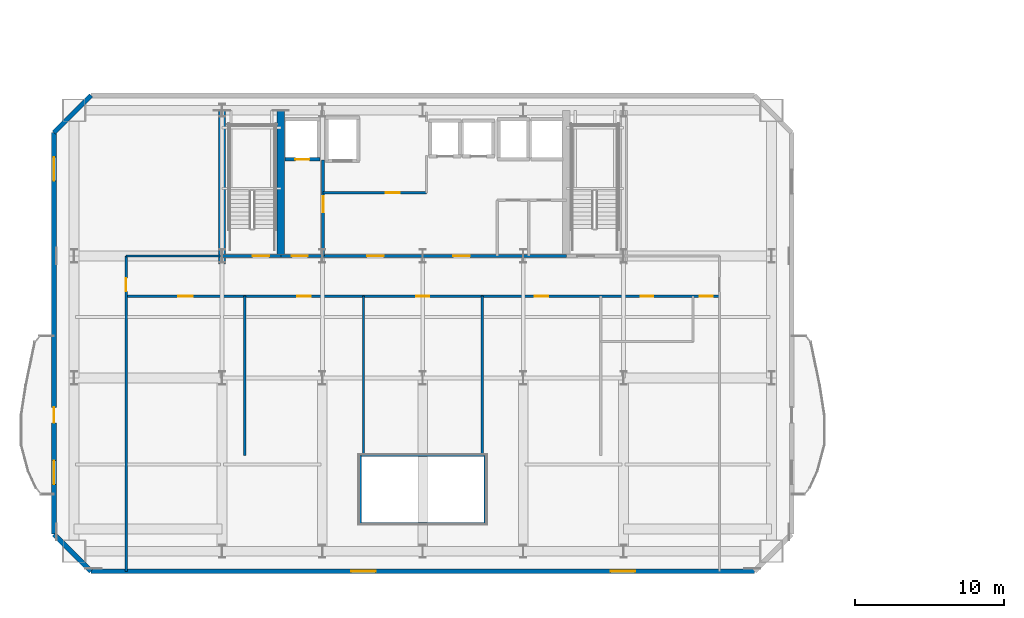
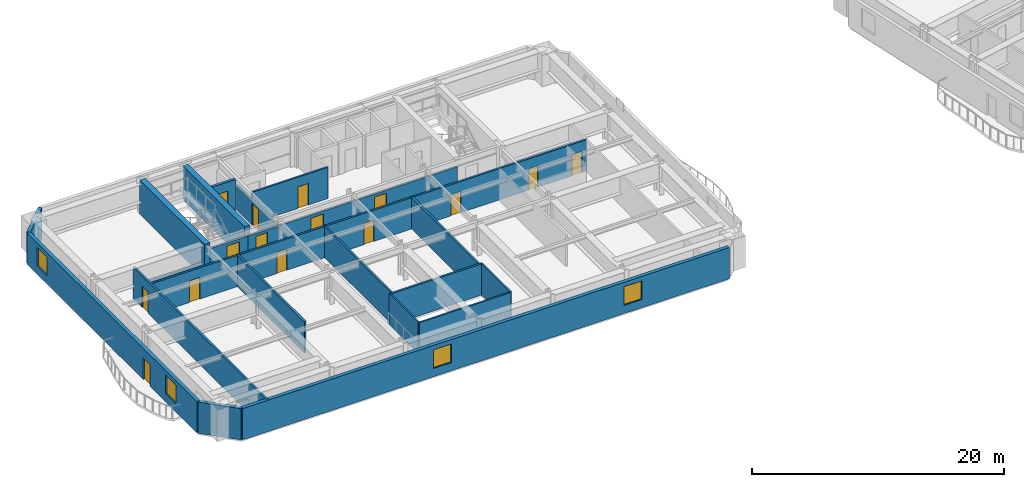
# One storey, part 7 of 16: 22 walls, 15 doors, 4 windows, 19 openings.
"""IFC4 building model written with IfcOpenShell, lengths in metres."""

from ifc_helpers import new_model, si_unit, direction, frame, frame_2d, origin, place, context, subcontext, project, spatial, rectangle, extrude, material, layer, layer_set, type_object, element, fill, save


model = new_model("IFC4")

# Units and contexts
model_context = context("Model", 3, precision=1e-05, world=origin(), true_north=direction((0.0, 1.0)))
body_context = subcontext(model_context, "Body", "Model", "MODEL_VIEW")
ifc_project = project(units=[si_unit("LENGTHUNIT", "METRE"), si_unit("AREAUNIT", "SQUARE_METRE"), si_unit("VOLUMEUNIT", "CUBIC_METRE"), si_unit("PLANEANGLEUNIT", "RADIAN"), si_unit("MASSUNIT", "GRAM", prefix="KILO")], contexts=[model_context])

# Site, building, storey
site_placement = place(None, origin())
site = spatial("IfcSite", under=ifc_project, at=site_placement, CompositionType="ELEMENT")
building_placement = place(site_placement, origin())
building = spatial("IfcBuilding", under=site, at=building_placement, Name="Haevon Station Towers", CompositionType="ELEMENT")
storey_placement = place(building_placement, frame((0.0, 0.0, 90.0)))
storey = spatial("IfcBuildingStorey", under=building, at=storey_placement, Name="L23", CompositionType="ELEMENT", Elevation=90.0)

# Wall, opening, door
ifc_material_1 = material(Name="Gypsum board on steel stud", Category="steel")
ifc_layer_1 = layer(ifc_material_1, 0.179931640625)
ifc_layer_set_1 = layer_set([ifc_layer_1], Name="Gypsum board on steel stud")
wall_type_1 = type_object("IfcWallType", Name="WL-ACU180", PredefinedType="PARTITIONING", material=ifc_layer_set_1)
wall_1_placement = place(storey_placement, frame((17.550048828125, 17.0, 0.0), z_axis=(0.0, 0.0, 1.0), x_axis=(0.0, 1.0, 0.0)))
wall_1 = element("IfcWall", 1, at=wall_1_placement, inside=storey, type_object=wall_type_1, Name="WL-T1PT-L23-03", PredefinedType="PARTITIONING", context=body_context, shape_type="SweptSolid", body=[
    extrude(rectangle(XDim=21.199951171875, YDim=0.179931640625, at=frame_2d((10.60009765625, 0.0))), origin(), (0.0, 0.0, 1.0), 3.030029296875),
])
opening_1_placement = place(wall_1_placement, frame((18.820068359375, 0.0, 0.0)))
opening_1 = element("IfcOpeningElement", 2, at=opening_1_placement, cuts=wall_1, Name="Opening DR-WL-T1PT-L23-03-01", PredefinedType="OPENING", context=body_context, shape_type="SweptSolid", body=[
    extrude(rectangle(XDim=0.89990234375, YDim=2.050048828125, at=frame_2d((0.449951171875, 1.02490234375))), frame((0.0, 0.099853515625, 0.0), z_axis=(0.0, -1.0, 0.0), x_axis=(1.0, 0.0, 0.0)), (0.0, 0.0, 1.0), 0.199951171875),
])
ifc_material_2 = material(Name="Engineered oak timber", Category="wood")
door_type_1 = type_object("IfcDoorType", Name="DR-INT-900", OperationType="NOTDEFINED", PredefinedType="DOOR", material=ifc_material_2)
door_1_placement = place(opening_1_placement, origin())
door_1 = element("IfcDoor", 3, at=door_1_placement, inside=storey, type_object=door_type_1, Name="L23 Tower 1 Room Door 3-1", OperationType="SINGLE_SWING_LEFT", OverallHeight=2.050048828125, OverallWidth=0.89990234375, PredefinedType="DOOR", context=body_context, shape_type="SweptSolid", body=[
    extrude(rectangle(XDim=0.89990234375, YDim=2.050048828125, at=frame_2d((0.449951171875, 1.02490234375))), frame((0.0, 0.02490234375, 0.0), z_axis=(0.0, -1.0, 0.0), x_axis=(1.0, 0.0, 0.0)), (0.0, 0.0, 1.0), 0.050048828125),
])
fill(opening_1, door_1)

# Walls
wall_2_placement = place(storey_placement, frame((33.300048828125, 24.800048828125, 0.0), z_axis=(0.0, 0.0, 1.0), x_axis=(1.0, 0.0, 0.0)))
element("IfcWall", 4, at=wall_2_placement, inside=storey, type_object=wall_type_1, Name="WL-T1PT-L23-06", PredefinedType="PARTITIONING", context=body_context, shape_type="SweptSolid", body=[
    extrude(rectangle(XDim=8.39990234375, YDim=0.179931640625, at=frame_2d((4.199951171875, 0.0))), origin(), (0.0, 0.0, 1.0), 3.030029296875),
])
for number, where, z_axis, x_axis, name in (
    (5, (25.530029296875, 24.800048828125, 0.0), (0.0, 0.0, 1.0), (0.0, 1.0, 0.0), "WL-T1PT-L23-09"),
    (6, (41.489990234375, 24.800048828125, 0.0), (0.0, 0.0, 1.0), (0.0, 1.0, 0.0), "WL-T1PT-L23-12"),
):
    element("IfcWall", number, at=place(storey_placement, frame(where, z_axis=z_axis, x_axis=x_axis)), inside=storey, type_object=wall_type_1, Name=name, PredefinedType="PARTITIONING", context=body_context, shape_type="SweptSolid", body=[
        extrude(rectangle(XDim=10.699951171875, YDim=0.179931640625, at=frame_2d((5.35009765625, 0.0))), origin(), (0.0, 0.0, 1.0), 3.030029296875),
    ])

# Wall, openings, doors
wall_3_placement = place(storey_placement, frame((17.550048828125, 35.5, 0.0), z_axis=(0.0, 0.0, 1.0), x_axis=(1.0, 0.0, 0.0)))
wall_3 = element("IfcWall", 7, at=wall_3_placement, inside=storey, type_object=wall_type_1, Name="WL-T1PT-L23-18", PredefinedType="PARTITIONING", context=body_context, shape_type="SweptSolid", body=[
    extrude(rectangle(XDim=39.89990234375, YDim=0.179931640625, at=frame_2d((19.949951171875, 0.0))), origin(), (0.0, 0.0, 1.0), 3.030029296875),
])
opening_2_placement = place(wall_3_placement, frame((3.514892578125, 0.0, 0.0)))
opening_2 = element("IfcOpeningElement", 8, at=opening_2_placement, cuts=wall_3, Name="Opening DR-WL-T1PT-L23-18-01", PredefinedType="OPENING", context=body_context, shape_type="SweptSolid", body=[
    extrude(rectangle(XDim=0.949951171875, YDim=2.10009765625, at=frame_2d((0.47509765625, 1.050048828125))), frame((0.0, 0.099853515625, 0.0), z_axis=(0.0, -1.0, 0.0), x_axis=(1.0, 0.0, 0.0)), (0.0, 0.0, 1.0), 0.199951171875),
])
opening_3_placement = place(wall_3_placement, frame((11.52001953125, 0.0, 0.0)))
opening_3 = element("IfcOpeningElement", 9, at=opening_3_placement, cuts=wall_3, Name="Opening DR-WL-T1PT-L23-18-02", PredefinedType="OPENING", context=body_context, shape_type="SweptSolid", body=[
    extrude(rectangle(XDim=0.89990234375, YDim=2.050048828125, at=frame_2d((0.449951171875, 1.02490234375))), frame((0.0, 0.099853515625, 0.0), z_axis=(0.0, -1.0, 0.0), x_axis=(1.0, 0.0, 0.0)), (0.0, 0.0, 1.0), 0.199951171875),
])
opening_4_placement = place(wall_3_placement, frame((19.5, 0.0, 0.0)))
opening_4 = element("IfcOpeningElement", 10, at=opening_4_placement, cuts=wall_3, Name="Opening DR-WL-T1PT-L23-18-03", PredefinedType="OPENING", context=body_context, shape_type="SweptSolid", body=[
    extrude(rectangle(XDim=0.89990234375, YDim=2.050048828125, at=frame_2d((0.449951171875, 1.02490234375))), frame((0.0, 0.099853515625, 0.0), z_axis=(0.0, -1.0, 0.0), x_axis=(1.0, 0.0, 0.0)), (0.0, 0.0, 1.0), 0.199951171875),
])
opening_5_placement = place(wall_3_placement, frame((27.47998046875, 0.0, 0.0)))
opening_5 = element("IfcOpeningElement", 11, at=opening_5_placement, cuts=wall_3, Name="Opening DR-WL-T1PT-L23-18-04", PredefinedType="OPENING", context=body_context, shape_type="SweptSolid", body=[
    extrude(rectangle(XDim=0.89990234375, YDim=2.050048828125, at=frame_2d((0.449951171875, 1.02490234375))), frame((0.0, 0.099853515625, 0.0), z_axis=(0.0, -1.0, 0.0), x_axis=(1.0, 0.0, 0.0)), (0.0, 0.0, 1.0), 0.199951171875),
])
opening_6_placement = place(wall_3_placement, frame((34.594970703125, 0.0, 0.0)))
opening_6 = element("IfcOpeningElement", 12, at=opening_6_placement, cuts=wall_3, Name="Opening DR-WL-T1PT-L23-18-05", PredefinedType="OPENING", context=body_context, shape_type="SweptSolid", body=[
    extrude(rectangle(XDim=0.85009765625, YDim=2.050048828125, at=frame_2d((0.425048828125, 1.02490234375))), frame((0.0, 0.099853515625, 0.0), z_axis=(0.0, -1.0, 0.0), x_axis=(1.0, 0.0, 0.0)), (0.0, 0.0, 1.0), 0.199951171875),
])
opening_7_placement = place(wall_3_placement, frame((38.56005859375, 0.0, 0.0)))
opening_7 = element("IfcOpeningElement", 13, at=opening_7_placement, cuts=wall_3, Name="Opening DR-WL-T1PT-L23-18-06", PredefinedType="OPENING", context=body_context, shape_type="SweptSolid", body=[
    extrude(rectangle(XDim=0.89990234375, YDim=2.050048828125, at=frame_2d((0.449951171875, 1.02490234375))), frame((0.0, 0.099853515625, 0.0), z_axis=(0.0, -1.0, 0.0), x_axis=(1.0, 0.0, 0.0)), (0.0, 0.0, 1.0), 0.199951171875),
])
door_type_2 = type_object("IfcDoorType", Name="DR-FD30-850", OperationType="NOTDEFINED", PredefinedType="DOOR", material=ifc_material_2)
door_2_placement = place(opening_6_placement, origin())
door_2 = element("IfcDoor", 14, at=door_2_placement, inside=storey, type_object=door_type_2, Name="L23 Tower 1 Room Door 18-5", OperationType="SINGLE_SWING_LEFT", OverallHeight=2.050048828125, OverallWidth=0.85009765625, PredefinedType="DOOR", context=body_context, shape_type="SweptSolid", body=[
    extrude(rectangle(XDim=0.85009765625, YDim=2.050048828125, at=frame_2d((0.425048828125, 1.02490234375))), frame((0.0, 0.02490234375, 0.0), z_axis=(0.0, -1.0, 0.0), x_axis=(1.0, 0.0, 0.0)), (0.0, 0.0, 1.0), 0.050048828125),
])
fill(opening_6, door_2)
door_type_3 = type_object("IfcDoorType", Name="DR-FD30-950", OperationType="NOTDEFINED", PredefinedType="DOOR", material=ifc_material_2)
door_3_placement = place(opening_2_placement, origin())
door_3 = element("IfcDoor", 15, at=door_3_placement, inside=storey, type_object=door_type_3, Name="L23 Tower 1 Room Door 18-1", OperationType="SINGLE_SWING_LEFT", OverallHeight=2.10009765625, OverallWidth=0.949951171875, PredefinedType="DOOR", context=body_context, shape_type="SweptSolid", body=[
    extrude(rectangle(XDim=0.949951171875, YDim=2.10009765625, at=frame_2d((0.47509765625, 1.050048828125))), frame((0.0, 0.02490234375, 0.0), z_axis=(0.0, -1.0, 0.0), x_axis=(1.0, 0.0, 0.0)), (0.0, 0.0, 1.0), 0.050048828125),
])
fill(opening_2, door_3)
door_4_placement = place(opening_3_placement, origin())
door_4 = element("IfcDoor", 16, at=door_4_placement, inside=storey, type_object=door_type_1, Name="L23 Tower 1 Room Door 18-2", OperationType="SINGLE_SWING_RIGHT", OverallHeight=2.050048828125, OverallWidth=0.89990234375, PredefinedType="DOOR", context=body_context, shape_type="SweptSolid", body=[
    extrude(rectangle(XDim=0.89990234375, YDim=2.050048828125, at=frame_2d((0.449951171875, 1.02490234375))), frame((0.0, 0.02490234375, 0.0), z_axis=(0.0, -1.0, 0.0), x_axis=(1.0, 0.0, 0.0)), (0.0, 0.0, 1.0), 0.050048828125),
])
fill(opening_3, door_4)
door_5_placement = place(opening_4_placement, origin())
door_5 = element("IfcDoor", 17, at=door_5_placement, inside=storey, type_object=door_type_1, Name="L23 Tower 1 Room Door 18-3", OperationType="SINGLE_SWING_LEFT", OverallHeight=2.050048828125, OverallWidth=0.89990234375, PredefinedType="DOOR", context=body_context, shape_type="SweptSolid", body=[
    extrude(rectangle(XDim=0.89990234375, YDim=2.050048828125, at=frame_2d((0.449951171875, 1.02490234375))), frame((0.0, 0.02490234375, 0.0), z_axis=(0.0, -1.0, 0.0), x_axis=(1.0, 0.0, 0.0)), (0.0, 0.0, 1.0), 0.050048828125),
])
fill(opening_4, door_5)
door_6_placement = place(opening_5_placement, origin())
door_6 = element("IfcDoor", 18, at=door_6_placement, inside=storey, type_object=door_type_1, Name="L23 Tower 1 Room Door 18-4", OperationType="SINGLE_SWING_RIGHT", OverallHeight=2.050048828125, OverallWidth=0.89990234375, PredefinedType="DOOR", context=body_context, shape_type="SweptSolid", body=[
    extrude(rectangle(XDim=0.89990234375, YDim=2.050048828125, at=frame_2d((0.449951171875, 1.02490234375))), frame((0.0, 0.02490234375, 0.0), z_axis=(0.0, -1.0, 0.0), x_axis=(1.0, 0.0, 0.0)), (0.0, 0.0, 1.0), 0.050048828125),
])
fill(opening_5, door_6)
door_7_placement = place(opening_7_placement, origin())
door_7 = element("IfcDoor", 19, at=door_7_placement, inside=storey, type_object=door_type_1, Name="L23 Tower 1 Room Door 18-6", OperationType="SINGLE_SWING_RIGHT", OverallHeight=2.050048828125, OverallWidth=0.89990234375, PredefinedType="DOOR", context=body_context, shape_type="SweptSolid", body=[
    extrude(rectangle(XDim=0.89990234375, YDim=2.050048828125, at=frame_2d((0.449951171875, 1.02490234375))), frame((0.0, 0.02490234375, 0.0), z_axis=(0.0, -1.0, 0.0), x_axis=(1.0, 0.0, 0.0)), (0.0, 0.0, 1.0), 0.050048828125),
])
fill(opening_7, door_7)

# Wall, opening, door
ifc_layer_2 = layer(ifc_material_1, 0.199951171875)
ifc_layer_set_2 = layer_set([ifc_layer_2], Name="Gypsum board on steel stud")
wall_type_2 = type_object("IfcWallType", Name="WL-COR200", PredefinedType="PARTITIONING", material=ifc_layer_set_2)
wall_4_placement = place(storey_placement, frame((24.0, 38.199951171875, 0.0), z_axis=(0.0, 0.0, 1.0), x_axis=(1.0, 0.0, 0.0)))
wall_4 = element("IfcWall", 20, at=wall_4_placement, inside=storey, type_object=wall_type_2, Name="WL-ST-ST1-L23", PredefinedType="PARTITIONING", context=body_context, shape_type="SweptSolid", body=[
    extrude(rectangle(XDim=3.949951171875, YDim=0.199951171875, at=frame_2d((1.97509765625, 0.0))), origin(), (0.0, 0.0, 1.0), 2.3798828125),
])
opening_8_placement = place(wall_4_placement, frame((2.050048828125, 0.0, 0.0)))
opening_8 = element("IfcOpeningElement", 21, at=opening_8_placement, cuts=wall_4, Name="Opening DR-ST-ST1-L23", PredefinedType="OPENING", context=body_context, shape_type="SweptSolid", body=[
    extrude(rectangle(XDim=1.1201171875, YDim=2.10009765625, at=frame_2d((0.56005859375, 1.050048828125))), frame((0.0, 0.10986328125, 0.0), z_axis=(0.0, -1.0, 0.0), x_axis=(1.0, 0.0, 0.0)), (0.0, 0.0, 1.0), 0.219970703125),
])
door_type_4 = type_object("IfcDoorType", Name="DR-ST-1120", OperationType="NOTDEFINED", PredefinedType="DOOR", material=ifc_material_2)
door_8_placement = place(opening_8_placement, origin())
door_8 = element("IfcDoor", 22, at=door_8_placement, inside=storey, type_object=door_type_4, Name="L23 Escape Stair ST1 Fire Door", OperationType="SINGLE_SWING_LEFT", OverallHeight=2.10009765625, OverallWidth=1.1201171875, PredefinedType="DOOR", context=body_context, shape_type="SweptSolid", body=[
    extrude(rectangle(XDim=1.1201171875, YDim=2.10009765625, at=frame_2d((0.56005859375, 1.050048828125))), frame((0.0, 0.02490234375, 0.0), z_axis=(0.0, -1.0, 0.0), x_axis=(1.0, 0.0, 0.0)), (0.0, 0.0, 1.0), 0.050048828125),
])
fill(opening_8, door_8)

wall_5_placement = place(storey_placement, frame((30.800048828125, 38.199951171875, 0.0), z_axis=(0.0, 0.0, 1.0), x_axis=(0.0, 1.0, 0.0)))
wall_5 = element("IfcWall", 23, at=wall_5_placement, inside=storey, type_object=wall_type_2, Name="WL-T1FFL-L23-E", PredefinedType="PARTITIONING", context=body_context, shape_type="SweptSolid", body=[
    extrude(rectangle(XDim=6.449951171875, YDim=0.199951171875, at=frame_2d((3.22509765625, 0.0))), origin(), (0.0, 0.0, 1.0), 2.3798828125),
])
opening_9_placement = place(wall_5_placement, frame((2.9599609375, 0.0, 0.0)))
opening_9 = element("IfcOpeningElement", 24, at=opening_9_placement, cuts=wall_5, Name="Opening DR-T1FFL-L23-E", PredefinedType="OPENING", context=body_context, shape_type="SweptSolid", body=[
    extrude(rectangle(XDim=1.050048828125, YDim=2.10009765625, at=frame_2d((0.52490234375, 1.050048828125))), frame((0.0, 0.10986328125, 0.0), z_axis=(0.0, -1.0, 0.0), x_axis=(1.0, 0.0, 0.0)), (0.0, 0.0, 1.0), 0.219970703125),
])
door_type_5 = type_object("IfcDoorType", Name="DR-FD60-1050", OperationType="NOTDEFINED", PredefinedType="DOOR", material=ifc_material_2)
door_9_placement = place(opening_9_placement, origin())
door_9 = element("IfcDoor", 25, at=door_9_placement, inside=storey, type_object=door_type_5, Name="L23 Tower 1 Firefighting Lift Lobby Door E", OperationType="SINGLE_SWING_LEFT", OverallHeight=2.10009765625, OverallWidth=1.050048828125, PredefinedType="DOOR", context=body_context, shape_type="SweptSolid", body=[
    extrude(rectangle(XDim=1.050048828125, YDim=2.10009765625, at=frame_2d((0.52490234375, 1.050048828125))), frame((0.0, 0.02490234375, 0.0), z_axis=(0.0, -1.0, 0.0), x_axis=(1.0, 0.0, 0.0)), (0.0, 0.0, 1.0), 0.050048828125),
])
fill(opening_9, door_9)

wall_6_placement = place(storey_placement, frame((27.949951171875, 38.199951171875, 0.0), z_axis=(0.0, 0.0, 1.0), x_axis=(1.0, 0.0, 0.0)))
wall_6 = element("IfcWall", 26, at=wall_6_placement, inside=storey, type_object=wall_type_2, Name="WL-T1FFL-L23-S", PredefinedType="PARTITIONING", context=body_context, shape_type="SweptSolid", body=[
    extrude(rectangle(XDim=2.85009765625, YDim=0.199951171875, at=frame_2d((1.425048828125, 0.0))), origin(), (0.0, 0.0, 1.0), 2.3798828125),
])
opening_10_placement = place(wall_6_placement, frame((0.75, 0.0, 0.0)))
opening_10 = element("IfcOpeningElement", 27, at=opening_10_placement, cuts=wall_6, Name="Opening DR-T1FFL-L23-S", PredefinedType="OPENING", context=body_context, shape_type="SweptSolid", body=[
    extrude(rectangle(XDim=1.050048828125, YDim=2.10009765625, at=frame_2d((0.52490234375, 1.050048828125))), frame((0.0, 0.10986328125, 0.0), z_axis=(0.0, -1.0, 0.0), x_axis=(1.0, 0.0, 0.0)), (0.0, 0.0, 1.0), 0.219970703125),
])
door_10_placement = place(opening_10_placement, origin())
door_10 = element("IfcDoor", 28, at=door_10_placement, inside=storey, type_object=door_type_5, Name="L23 Tower 1 Firefighting Lift Lobby Door S", OperationType="SINGLE_SWING_RIGHT", OverallHeight=2.10009765625, OverallWidth=1.050048828125, PredefinedType="DOOR", context=body_context, shape_type="SweptSolid", body=[
    extrude(rectangle(XDim=1.050048828125, YDim=2.10009765625, at=frame_2d((0.52490234375, 1.050048828125))), frame((0.0, 0.02490234375, 0.0), z_axis=(0.0, -1.0, 0.0), x_axis=(1.0, 0.0, 0.0)), (0.0, 0.0, 1.0), 0.050048828125),
])
fill(opening_10, door_10)

# Wall, openings, doors
wall_7_placement = place(storey_placement, frame((30.800048828125, 38.199951171875, 0.0), z_axis=(0.0, 0.0, 1.0), x_axis=(1.0, 0.0, 0.0)))
wall_7 = element("IfcWall", 29, at=wall_7_placement, inside=storey, type_object=wall_type_2, Name="WL-T1CLB-L23", PredefinedType="PARTITIONING", context=body_context, shape_type="SweptSolid", body=[
    extrude(rectangle(XDim=16.349853515625, YDim=0.199951171875, at=frame_2d((8.1748046875, 0.0))), origin(), (0.0, 0.0, 1.0), 2.3798828125),
])
opening_11_placement = place(wall_7_placement, frame((2.949951171875, 0.0, 0.0)))
opening_11 = element("IfcOpeningElement", 30, at=opening_11_placement, cuts=wall_7, Name="Opening DR-T1CLB-L23-1", PredefinedType="OPENING", context=body_context, shape_type="SweptSolid", body=[
    extrude(rectangle(XDim=1.1201171875, YDim=2.10009765625, at=frame_2d((0.56005859375, 1.050048828125))), frame((0.0, 0.10986328125, 0.0), z_axis=(0.0, -1.0, 0.0), x_axis=(1.0, 0.0, 0.0)), (0.0, 0.0, 1.0), 0.219970703125),
])
opening_12_placement = place(wall_7_placement, frame((8.75, 0.0, 0.0)))
opening_12 = element("IfcOpeningElement", 31, at=opening_12_placement, cuts=wall_7, Name="Opening DR-T1CLB-L23-2", PredefinedType="OPENING", context=body_context, shape_type="SweptSolid", body=[
    extrude(rectangle(XDim=1.1201171875, YDim=2.10009765625, at=frame_2d((0.56005859375, 1.050048828125))), frame((0.0, 0.10986328125, 0.0), z_axis=(0.0, -1.0, 0.0), x_axis=(1.0, 0.0, 0.0)), (0.0, 0.0, 1.0), 0.219970703125),
])
door_11_placement = place(opening_11_placement, origin())
door_11 = element("IfcDoor", 32, at=door_11_placement, inside=storey, type_object=door_type_4, Name="L23 Tower 1 Core Lift Lobby Door 1", OperationType="SINGLE_SWING_LEFT", OverallHeight=2.10009765625, OverallWidth=1.1201171875, PredefinedType="DOOR", context=body_context, shape_type="SweptSolid", body=[
    extrude(rectangle(XDim=1.1201171875, YDim=2.10009765625, at=frame_2d((0.56005859375, 1.050048828125))), frame((0.0, 0.02490234375, 0.0), z_axis=(0.0, -1.0, 0.0), x_axis=(1.0, 0.0, 0.0)), (0.0, 0.0, 1.0), 0.050048828125),
])
fill(opening_11, door_11)
door_12_placement = place(opening_12_placement, origin())
door_12 = element("IfcDoor", 33, at=door_12_placement, inside=storey, type_object=door_type_4, Name="L23 Tower 1 Core Lift Lobby Door 2", OperationType="SINGLE_SWING_RIGHT", OverallHeight=2.10009765625, OverallWidth=1.1201171875, PredefinedType="DOOR", context=body_context, shape_type="SweptSolid", body=[
    extrude(rectangle(XDim=1.1201171875, YDim=2.10009765625, at=frame_2d((0.56005859375, 1.050048828125))), frame((0.0, 0.02490234375, 0.0), z_axis=(0.0, -1.0, 0.0), x_axis=(1.0, 0.0, 0.0)), (0.0, 0.0, 1.0), 0.050048828125),
])
fill(opening_12, door_12)

# Walls
ifc_material_3 = material(Name="Concrete C60/75", Category="concrete")
ifc_layer_3 = layer(ifc_material_3, 0.5)
ifc_layer_set_3 = layer_set([ifc_layer_3], Name="Concrete C60/75")
wall_type_3 = type_object("IfcWallType", Name="WL-CR500", PredefinedType="SHEAR", material=ifc_layer_set_3)
wall_8_placement = place(storey_placement, frame((24.0, 37.679931640625, 0.0), z_axis=(0.0, 0.0, 1.0), x_axis=(0.0, 1.0, 0.0)))
element("IfcWall", 34, at=wall_8_placement, inside=storey, type_object=wall_type_3, Name="WL-T1CR-L23-W", PredefinedType="SHEAR", context=body_context, shape_type="SweptSolid", body=[
    extrude(rectangle(XDim=10.320068359375, YDim=0.5, at=frame_2d((5.16015625, 0.0))), origin(), (0.0, 0.0, 1.0), 3.300048828125),
])
wall_9_placement = place(storey_placement, frame((27.949951171875, 38.199951171875, 0.0), z_axis=(0.0, 0.0, 1.0), x_axis=(0.0, 1.0, 0.0)))
element("IfcWall", 35, at=wall_9_placement, inside=storey, type_object=wall_type_3, Name="WL-T1CR-L23-M1", PredefinedType="SHEAR", context=body_context, shape_type="SweptSolid", body=[
    extrude(rectangle(XDim=9.800048828125, YDim=0.5, at=frame_2d((4.89990234375, 0.0))), origin(), (0.0, 0.0, 1.0), 3.300048828125),
])

# Wall, openings, windows
ifc_material_4 = material(Name="Precast concrete C45/55", Category="concrete")
ifc_layer_4 = layer(ifc_material_4, 0.320068359375)
ifc_layer_set_4 = layer_set([ifc_layer_4], Name="Precast concrete C45/55")
wall_type_4 = type_object("IfcWallType", Name="WL-EXT-PIER320", PredefinedType="SOLIDWALL", material=ifc_layer_set_4)
wall_10_placement = place(storey_placement, frame((59.800048828125, 17.0, 0.0), z_axis=(0.0, 0.0, 1.0), x_axis=(-1.0, 0.0, 0.0)))
wall_10 = element("IfcWall", 36, at=wall_10_placement, inside=storey, type_object=wall_type_4, Name="WL-T1-L23-S", PredefinedType="SOLIDWALL", context=body_context, shape_type="SweptSolid", body=[
    extrude(rectangle(XDim=44.60009765625, YDim=0.320068359375, at=frame_2d((22.300048828125, 0.0))), origin(), (0.0, 0.0, 1.0), 3.030029296875),
])
opening_13_placement = place(wall_10_placement, frame((25.465087890625, 0.0, 0.800048828125)))
opening_13 = element("IfcOpeningElement", 37, at=opening_13_placement, cuts=wall_10, Name="Opening WN-P165", PredefinedType="OPENING", context=body_context, shape_type="SweptSolid", body=[
    extrude(rectangle(XDim=1.64990234375, YDim=1.800048828125, at=frame_2d((0.824951171875, 0.89990234375))), frame((0.0, 0.169921875, 0.0), z_axis=(0.0, -1.0, 0.0), x_axis=(1.0, 0.0, 0.0)), (0.0, 0.0, 1.0), 0.340087890625),
])
opening_14_placement = place(wall_10_placement, frame((8.021484375, 0.0, 0.800048828125)))
opening_14 = element("IfcOpeningElement", 38, at=opening_14_placement, cuts=wall_10, Name="Opening WN-P165", PredefinedType="OPENING", context=body_context, shape_type="SweptSolid", body=[
    extrude(rectangle(XDim=1.64990234375, YDim=1.800048828125, at=frame_2d((0.824951171875, 0.89990234375))), frame((0.0, 0.169921875, 0.0), z_axis=(0.0, -1.0, 0.0), x_axis=(1.0, 0.0, 0.0)), (0.0, 0.0, 1.0), 0.340087890625),
])
ifc_material_5 = material(Name="Low-E triple glazing in thermally broken aluminium", Category="aluminium")
window_type_1 = type_object("IfcWindowType", Name="WN-P165", PartitioningType="SINGLE_PANEL", PredefinedType="WINDOW", material=ifc_material_5)
window_1_placement = place(opening_13_placement, origin())
window_1 = element("IfcWindow", 39, at=window_1_placement, inside=storey, type_object=window_type_1, Name="WN-T1-L23-S01", OverallHeight=1.800048828125, OverallWidth=1.64990234375, PartitioningType="SINGLE_PANEL", PredefinedType="WINDOW", context=body_context, shape_type="SweptSolid", body=[
    extrude(rectangle(XDim=1.64990234375, YDim=1.800048828125, at=frame_2d((0.824951171875, 0.89990234375))), frame((0.0, 0.030029296875, 0.0), z_axis=(0.0, -1.0, 0.0), x_axis=(1.0, 0.0, 0.0)), (0.0, 0.0, 1.0), 0.06005859375),
])
fill(opening_13, window_1)
window_2_placement = place(opening_14_placement, origin())
window_2 = element("IfcWindow", 40, at=window_2_placement, inside=storey, type_object=window_type_1, Name="WN-T1-L23-S02", OverallHeight=1.800048828125, OverallWidth=1.64990234375, PartitioningType="SINGLE_PANEL", PredefinedType="WINDOW", context=body_context, shape_type="SweptSolid", body=[
    extrude(rectangle(XDim=1.64990234375, YDim=1.800048828125, at=frame_2d((0.824951171875, 0.89990234375))), frame((0.0, 0.030029296875, 0.0), z_axis=(0.0, -1.0, 0.0), x_axis=(1.0, 0.0, 0.0)), (0.0, 0.0, 1.0), 0.06005859375),
])
fill(opening_14, window_2)

# Wall
wall_11_placement = place(storey_placement, frame((15.199951171875, 17.0, 0.0), z_axis=(0.0, 0.0, 1.0), x_axis=(-0.707106781187, 0.707106781187, 0.0)))
element("IfcWall", 41, at=wall_11_placement, inside=storey, type_object=wall_type_4, Name="WL-T1-L23-SWC", PredefinedType="SOLIDWALL", context=body_context, shape_type="SweptSolid", body=[
    extrude(rectangle(XDim=3.53564453125, YDim=0.320068359375, at=frame_2d((1.767822265625, 0.0))), origin(), (0.0, 0.0, 1.0), 3.030029296875),
])

# Wall, openings, door, windows
wall_12_placement = place(storey_placement, frame((12.699951171875, 19.5, 0.0), z_axis=(0.0, 0.0, 1.0), x_axis=(0.0, 1.0, 0.0)))
wall_12 = element("IfcWall", 42, at=wall_12_placement, inside=storey, type_object=wall_type_4, Name="WL-T1-L23-W", PredefinedType="SOLIDWALL", context=body_context, shape_type="SweptSolid", body=[
    extrude(rectangle(XDim=27.0, YDim=0.320068359375, at=frame_2d((13.5, 0.0))), origin(), (0.0, 0.0, 1.0), 3.030029296875),
])
opening_15_placement = place(wall_12_placement, frame((7.47509765625, 0.0, 0.0)))
opening_15 = element("IfcOpeningElement", 43, at=opening_15_placement, cuts=wall_12, Name="Opening DR-T1-SCAL-L23-W", PredefinedType="OPENING", context=body_context, shape_type="SweptSolid", body=[
    extrude(rectangle(XDim=1.050048828125, YDim=2.10009765625, at=frame_2d((0.52490234375, 1.050048828125))), frame((0.0, 0.169921875, 0.0), z_axis=(0.0, -1.0, 0.0), x_axis=(1.0, 0.0, 0.0)), (0.0, 0.0, 1.0), 0.340087890625),
])
opening_16_placement = place(wall_12_placement, frame((3.35009765625, 0.0, 0.800048828125)))
opening_16 = element("IfcOpeningElement", 44, at=opening_16_placement, cuts=wall_12, Name="Opening WN-END160", PredefinedType="OPENING", context=body_context, shape_type="SweptSolid", body=[
    extrude(rectangle(XDim=1.60009765625, YDim=1.800048828125, at=frame_2d((0.800048828125, 0.89990234375))), frame((0.0, 0.169921875, 0.0), z_axis=(0.0, -1.0, 0.0), x_axis=(1.0, 0.0, 0.0)), (0.0, 0.0, 1.0), 0.340087890625),
])
opening_17_placement = place(wall_12_placement, frame((23.75, 0.0, 0.800048828125)))
opening_17 = element("IfcOpeningElement", 45, at=opening_17_placement, cuts=wall_12, Name="Opening WN-END160", PredefinedType="OPENING", context=body_context, shape_type="SweptSolid", body=[
    extrude(rectangle(XDim=1.60009765625, YDim=1.800048828125, at=frame_2d((0.800048828125, 0.89990234375))), frame((0.0, 0.169921875, 0.0), z_axis=(0.0, -1.0, 0.0), x_axis=(1.0, 0.0, 0.0)), (0.0, 0.0, 1.0), 0.340087890625),
])
ifc_material_6 = material(Name="Thermally broken anodised aluminium and laminated safety glass", Category="aluminium")
door_type_6 = type_object("IfcDoorType", Name="DR-BALC-1050", OperationType="NOTDEFINED", PredefinedType="DOOR", material=ifc_material_6)
door_13_placement = place(opening_15_placement, origin())
door_13 = element("IfcDoor", 46, at=door_13_placement, inside=storey, type_object=door_type_6, Name="Tower 1 L23 West Scalloped Balcony Door", OperationType="SINGLE_SWING_RIGHT", OverallHeight=2.10009765625, OverallWidth=1.050048828125, PredefinedType="DOOR", context=body_context, shape_type="SweptSolid", body=[
    extrude(rectangle(XDim=1.050048828125, YDim=2.10009765625, at=frame_2d((0.52490234375, 1.050048828125))), frame((0.0, 0.02490234375, 0.0), z_axis=(0.0, -1.0, 0.0), x_axis=(1.0, 0.0, 0.0)), (0.0, 0.0, 1.0), 0.050048828125),
])
fill(opening_15, door_13)
window_type_2 = type_object("IfcWindowType", Name="WN-END160", PartitioningType="SINGLE_PANEL", PredefinedType="WINDOW", material=ifc_material_5)
window_3_placement = place(opening_16_placement, origin())
window_3 = element("IfcWindow", 47, at=window_3_placement, inside=storey, type_object=window_type_2, Name="WN-T1-L23-W01", OverallHeight=1.800048828125, OverallWidth=1.60009765625, PartitioningType="SINGLE_PANEL", PredefinedType="WINDOW", context=body_context, shape_type="SweptSolid", body=[
    extrude(rectangle(XDim=1.60009765625, YDim=1.800048828125, at=frame_2d((0.800048828125, 0.89990234375))), frame((0.0, 0.030029296875, 0.0), z_axis=(0.0, -1.0, 0.0), x_axis=(1.0, 0.0, 0.0)), (0.0, 0.0, 1.0), 0.06005859375),
])
fill(opening_16, window_3)
window_4_placement = place(opening_17_placement, origin())
window_4 = element("IfcWindow", 48, at=window_4_placement, inside=storey, type_object=window_type_2, Name="WN-T1-L23-W02", OverallHeight=1.800048828125, OverallWidth=1.60009765625, PartitioningType="SINGLE_PANEL", PredefinedType="WINDOW", context=body_context, shape_type="SweptSolid", body=[
    extrude(rectangle(XDim=1.60009765625, YDim=1.800048828125, at=frame_2d((0.800048828125, 0.89990234375))), frame((0.0, 0.030029296875, 0.0), z_axis=(0.0, -1.0, 0.0), x_axis=(1.0, 0.0, 0.0)), (0.0, 0.0, 1.0), 0.06005859375),
])
fill(opening_17, window_4)

# Wall
wall_13_placement = place(storey_placement, frame((12.699951171875, 46.5, 0.0), z_axis=(0.0, 0.0, 1.0), x_axis=(0.707106781187, 0.707106781187, 0.0)))
element("IfcWall", 49, at=wall_13_placement, inside=storey, type_object=wall_type_4, Name="WL-T1-L23-NWC", PredefinedType="SOLIDWALL", context=body_context, shape_type="SweptSolid", body=[
    extrude(rectangle(XDim=3.53564453125, YDim=0.320068359375, at=frame_2d((1.767822265625, 0.0))), origin(), (0.0, 0.0, 1.0), 3.030029296875),
])

# Wall, opening, door
ifc_layer_5 = layer(ifc_material_1, 0.159912109375)
ifc_layer_set_5 = layer_set([ifc_layer_5], Name="Gypsum board on steel stud")
wall_type_5 = type_object("IfcWallType", Name="WL-PRT160", PredefinedType="PARTITIONING", material=ifc_layer_set_5)
wall_14_placement = place(storey_placement, frame((30.800048828125, 42.449951171875, 0.0), z_axis=(0.0, 0.0, 1.0), x_axis=(1.0, 0.0, 0.0)))
wall_14 = element("IfcWall", 50, at=wall_14_placement, inside=storey, type_object=wall_type_5, Name="WL-T1CW-L23-01", PredefinedType="PARTITIONING", context=body_context, shape_type="SweptSolid", body=[
    extrude(rectangle(XDim=6.949951171875, YDim=0.159912109375, at=frame_2d((3.47509765625, 0.0))), origin(), (0.0, 0.0, 1.0), 3.030029296875),
])
opening_18_placement = place(wall_14_placement, frame((4.199951171875, 0.0, 0.0)))
opening_18 = element("IfcOpeningElement", 51, at=opening_18_placement, cuts=wall_14, Name="Opening DR-WL-T1CW-L23-01-1", PredefinedType="OPENING", context=body_context, shape_type="SweptSolid", body=[
    extrude(rectangle(XDim=0.949951171875, YDim=2.10009765625, at=frame_2d((0.47509765625, 1.050048828125))), frame((0.0, 0.08984375, 0.0), z_axis=(0.0, -1.0, 0.0), x_axis=(1.0, 0.0, 0.0)), (0.0, 0.0, 1.0), 0.179931640625),
])
door_type_7 = type_object("IfcDoorType", Name="DR-FD60-950", OperationType="NOTDEFINED", PredefinedType="DOOR", material=ifc_material_2)
door_14_placement = place(opening_18_placement, origin())
door_14 = element("IfcDoor", 52, at=door_14_placement, inside=storey, type_object=door_type_7, Name="L23 Tower 1 Core Room Door 1-1", OperationType="SINGLE_SWING_RIGHT", OverallHeight=2.10009765625, OverallWidth=0.949951171875, PredefinedType="DOOR", context=body_context, shape_type="SweptSolid", body=[
    extrude(rectangle(XDim=0.949951171875, YDim=2.10009765625, at=frame_2d((0.47509765625, 1.050048828125))), frame((0.0, 0.02490234375, 0.0), z_axis=(0.0, -1.0, 0.0), x_axis=(1.0, 0.0, 0.0)), (0.0, 0.0, 1.0), 0.050048828125),
])
fill(opening_18, door_14)

# Walls
wall_15_placement = place(storey_placement, frame((17.550048828125, 38.199951171875, 0.0), z_axis=(0.0, 0.0, 1.0), x_axis=(1.0, 0.0, 0.0)))
element("IfcWall", 53, at=wall_15_placement, inside=storey, type_object=wall_type_5, Name="WL-T1PT-L23-01", PredefinedType="PARTITIONING", context=body_context, shape_type="SweptSolid", body=[
    extrude(rectangle(XDim=6.449951171875, YDim=0.159912109375, at=frame_2d((3.22509765625, 0.0))), origin(), (0.0, 0.0, 1.0), 1.22998046875),
])
wall_16_placement = place(storey_placement, frame((33.300048828125, 20.199951171875, 0.0), z_axis=(0.0, 0.0, 1.0), x_axis=(1.0, 0.0, 0.0)))
element("IfcWall", 54, at=wall_16_placement, inside=storey, type_object=wall_type_5, Name="WL-T1PT-L23-05", PredefinedType="PARTITIONING", context=body_context, shape_type="SweptSolid", body=[
    extrude(rectangle(XDim=8.39990234375, YDim=0.159912109375, at=frame_2d((4.199951171875, 0.0))), origin(), (0.0, 0.0, 1.0), 3.030029296875),
])
for number, where, z_axis, x_axis, name in (
    (55, (33.300048828125, 20.199951171875, 0.0), (0.0, 0.0, 1.0), (0.0, 1.0, 0.0), "WL-T1PT-L23-07"),
    (56, (41.699951171875, 20.199951171875, 0.0), (0.0, 0.0, 1.0), (0.0, 1.0, 0.0), "WL-T1PT-L23-08"),
):
    element("IfcWall", number, at=place(storey_placement, frame(where, z_axis=z_axis, x_axis=x_axis)), inside=storey, type_object=wall_type_5, Name=name, PredefinedType="PARTITIONING", context=body_context, shape_type="SweptSolid", body=[
        extrude(rectangle(XDim=4.60009765625, YDim=0.159912109375, at=frame_2d((2.300048828125, 0.0))), origin(), (0.0, 0.0, 1.0), 3.030029296875),
    ])
wall_17_placement = place(storey_placement, frame((33.510009765625, 24.800048828125, 0.0), z_axis=(0.0, 0.0, 1.0), x_axis=(0.0, 1.0, 0.0)))
element("IfcWall", 57, at=wall_17_placement, inside=storey, type_object=wall_type_5, Name="WL-T1PT-L23-10", PredefinedType="PARTITIONING", context=body_context, shape_type="SweptSolid", body=[
    extrude(rectangle(XDim=10.699951171875, YDim=0.159912109375, at=frame_2d((5.35009765625, 0.0))), origin(), (0.0, 0.0, 1.0), 3.030029296875),
])

# Wall, opening, door
ifc_material_7 = material(Name="Concrete C40/50", Category="concrete")
ifc_layer_6 = layer(ifc_material_7, 0.239990234375)
ifc_layer_set_6 = layer_set([ifc_layer_6], Name="Concrete C40/50")
wall_type_6 = type_object("IfcWallType", Name="WL-SHF240", PredefinedType="PARTITIONING", material=ifc_layer_set_6)
wall_18_placement = place(storey_placement, frame((28.219970703125, 44.699951171875, 0.0), z_axis=(0.0, 0.0, 1.0), x_axis=(1.0, 0.0, 0.0)))
wall_18 = element("IfcWall", 58, at=wall_18_placement, inside=storey, type_object=wall_type_6, Name="WL-SHF-FL1-L23", PredefinedType="PARTITIONING", context=body_context, shape_type="SweptSolid", body=[
    extrude(rectangle(XDim=2.360107421875, YDim=0.239990234375, at=frame_2d((1.18017578125, 0.0))), origin(), (0.0, 0.0, 1.0), 3.030029296875),
])
opening_19_placement = place(wall_18_placement, frame((0.705078125, 0.0, 0.0)))
opening_19 = element("IfcOpeningElement", 59, at=opening_19_placement, cuts=wall_18, Name="Opening LD-FL1-L23", PredefinedType="OPENING", context=body_context, shape_type="SweptSolid", body=[
    extrude(rectangle(XDim=0.949951171875, YDim=2.14990234375, at=frame_2d((0.47509765625, 1.074951171875))), frame((0.0, 0.1298828125, 0.0), z_axis=(0.0, -1.0, 0.0), x_axis=(1.0, 0.0, 0.0)), (0.0, 0.0, 1.0), 0.260009765625),
])
ifc_material_8 = material(Name="Stainless steel and rated core", Category="steel")
door_type_8 = type_object("IfcDoorType", Name="LD-FL950", OperationType="SLIDING_TO_LEFT", PredefinedType="DOOR", material=ifc_material_8)
door_15_placement = place(opening_19_placement, origin())
door_15 = element("IfcDoor", 60, at=door_15_placement, inside=storey, type_object=door_type_8, Name="L23 Lift FL1 Sliding Landing Door", OperationType="SLIDING_TO_LEFT", OverallHeight=2.14990234375, OverallWidth=0.949951171875, PredefinedType="DOOR", context=body_context, shape_type="SweptSolid", body=[
    extrude(rectangle(XDim=0.949951171875, YDim=2.14990234375, at=frame_2d((0.47509765625, 1.074951171875))), frame((0.0, 0.02490234375, 0.0), z_axis=(0.0, -1.0, 0.0), x_axis=(1.0, 0.0, 0.0)), (0.0, 0.0, 1.0), 0.050048828125),
])
fill(opening_19, door_15)

save(model, "model.ifc")
